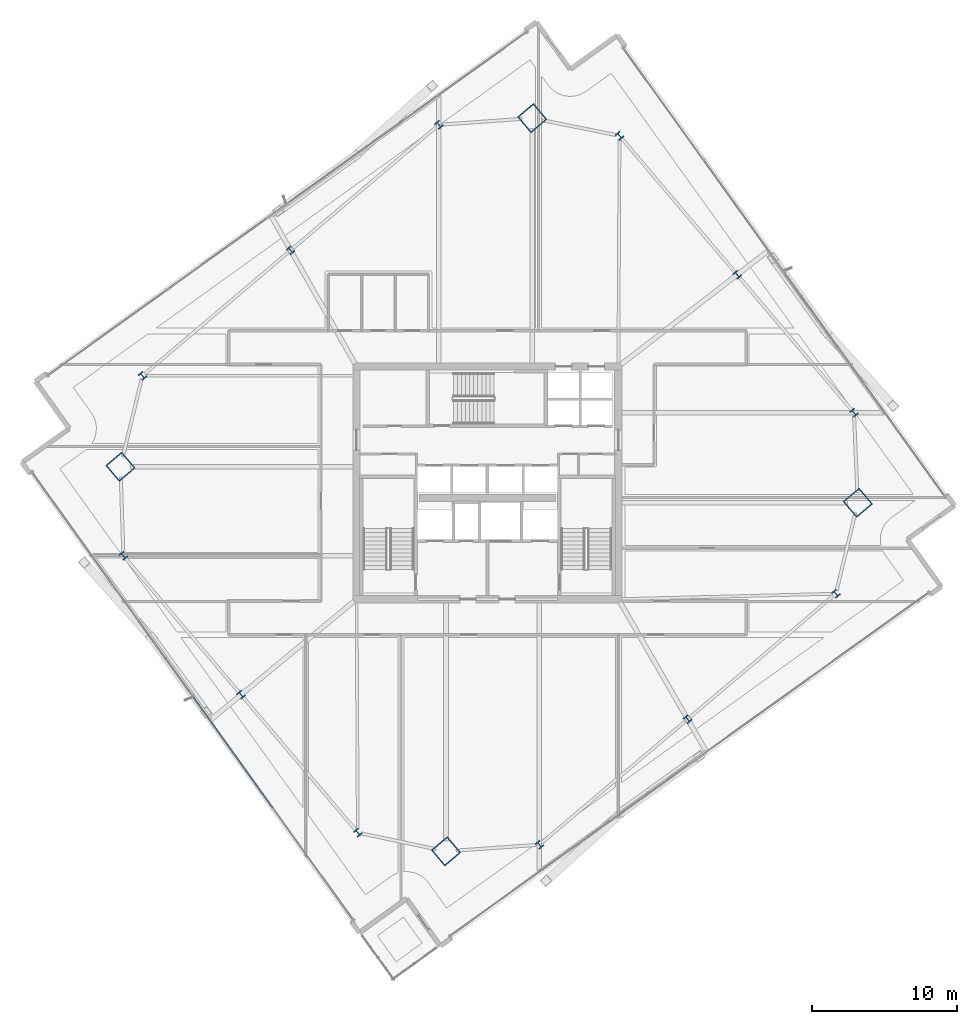
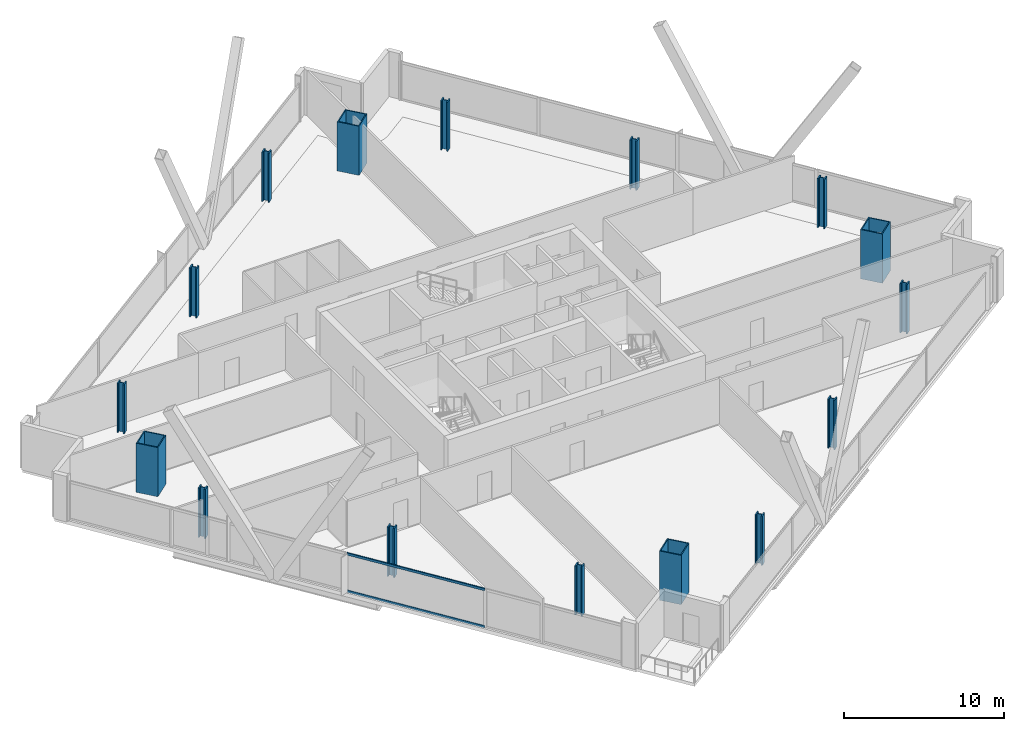
# One storey, part 1 of 33: 16 columns, 2 members, 1 element without a shape of its own.
"""IFC4 building model written with IfcOpenShell, lengths in metres."""

from ifc_helpers import new_model, si_unit, direction, frame, origin, origin_2d, place, context, subcontext, project, spatial, hollow_rectangle, i_section, extrude, material, material_profile, profile_set, type_object, element, aggregate, save


model = new_model("IFC4")

# Units and contexts
model_context = context("Model", 3, precision=1e-05, world=origin(), true_north=direction((0.0, 1.0)))
body_context = subcontext(model_context, "Body", "Model", "MODEL_VIEW")
ifc_project = project(units=[si_unit("LENGTHUNIT", "METRE"), si_unit("AREAUNIT", "SQUARE_METRE"), si_unit("VOLUMEUNIT", "CUBIC_METRE"), si_unit("PLANEANGLEUNIT", "RADIAN"), si_unit("MASSUNIT", "GRAM", prefix="KILO")], contexts=[model_context])

# Site, building, storey
site_placement = place(None, origin())
site = spatial("IfcSite", under=ifc_project, at=site_placement, CompositionType="ELEMENT")
building_placement = place(site_placement, origin())
building = spatial("IfcBuilding", under=site, at=building_placement, Name="Haldenkirk Collegiate Tower", CompositionType="ELEMENT")
storey_placement = place(building_placement, frame((0.0, 0.0, 148.199951171875)))
storey = spatial("IfcBuildingStorey", under=building, at=storey_placement, Name="L36", CompositionType="ELEMENT", Elevation=148.199951171875)

# Columns
ifc_material_1 = material(Name="Steel ASTM A913 Grade 65", Category="steel")
ifc_material_profile_1 = material_profile(ifc_material_1, i_section(OverallWidth=0.431884765625, OverallDepth=0.498046875, WebThickness=0.0556640625, FlangeThickness=0.0888671875, at=origin_2d()), Name="W14X500")
ifc_profile_set_1 = profile_set([ifc_material_profile_1], Name="Steel ASTM A913 Grade 65")
column_type_1 = type_object("IfcColumnType", Name="COL-INT-W14X500", PredefinedType="COLUMN", material=ifc_profile_set_1)
for number, where, z_axis, x_axis, name in (
    (1, (39.568603515625, 1.113525390625, 0.0), (0.0, 0.0, 1.0), (0.763232469783, 0.646123979643, 0.0), "L36 perimeter gravity column PC-S1"),
    (2, (49.762451171875, 9.7431640625, 0.0), (0.0, 0.0, 1.0), (0.763232469783, 0.646123979643, 0.0), "L36 perimeter gravity column PC-S2"),
    (3, (59.956298828125, 18.372802734375, 0.0), (0.0, 0.0, 1.0), (0.763232469783, 0.646123979643, 0.0), "L36 perimeter gravity column PC-S3"),
    (4, (61.199462890625, 30.82421875, 0.0), (0.0, 0.0, 1.0), (0.763232469783, 0.646123979643, 0.0), "L36 perimeter gravity column PC-E1"),
    (5, (53.17138671875, 40.307373046875, 0.0), (0.0, 0.0, 1.0), (0.763232469783, 0.646123979643, 0.0), "L36 perimeter gravity column PC-E2"),
    (6, (45.079833984375, 49.865234375, 0.0), (0.0, 0.0, 1.0), (0.763232469783, 0.646123979643, 0.0), "L36 perimeter gravity column PC-E3"),
    (7, (32.657470703125, 50.619384765625, 0.0), (0.0, 0.0, 1.0), (0.763232469783, 0.646123979643, 0.0), "L36 perimeter gravity column PC-N1"),
    (8, (22.463623046875, 41.98974609375, 0.0), (0.0, 0.0, 1.0), (0.763232469783, 0.646123979643, 0.0), "L36 perimeter gravity column PC-N2"),
    (9, (12.27001953125, 33.360107421875, 0.0), (0.0, 0.0, 1.0), (0.763232469783, 0.646123979643, 0.0), "L36 perimeter gravity column PC-N3"),
    (10, (10.96337890625, 20.9833984375, 0.0), (0.0, 0.0, 1.0), (0.763232469783, 0.646123979643, 0.0), "L36 perimeter gravity column PC-W1"),
    (11, (19.0546875, 11.425537109375, 0.0), (0.0, 0.0, 1.0), (0.763232469783, 0.646123979643, 0.0), "L36 perimeter gravity column PC-W2"),
    (12, (27.0830078125, 1.9423828125, 0.0), (0.0, 0.0, 1.0), (0.763232469783, 0.646123979643, 0.0), "L36 perimeter gravity column PC-W3"),
):
    element("IfcColumn", number, at=place(storey_placement, frame(where, z_axis=z_axis, x_axis=x_axis)), inside=storey, type_object=column_type_1, Name=name, PredefinedType="COLUMN", context=body_context, shape_type="SweptSolid", body=[
        extrude(i_section(OverallWidth=0.431884765625, OverallDepth=0.498046875, WebThickness=0.0556640625, FlangeThickness=0.0888671875, at=origin_2d()), origin(), (0.0, 0.0, 1.0), 3.75),
    ])
ifc_material_2 = material(Name="Steel ASTM A572 Grade 50", Category="steel")
ifc_material_profile_2 = material_profile(ifc_material_2, hollow_rectangle(XDim=1.449951171875, YDim=1.449951171875, WallThickness=0.070068359375, at=origin_2d()), Name="BOX1450X1450X70")
ifc_profile_set_2 = profile_set([ifc_material_profile_2], Name="Steel ASTM A572 Grade 50")
column_type_2 = type_object("IfcColumnType", Name="COL-MEGA-BOX1450X1450X70", PredefinedType="COLUMN", material=ifc_profile_set_2)
for number, where, z_axis, x_axis, name in (
    (13, (33.149169921875, 0.65771484375, 0.0), (0.0, 0.0, 1.0), (0.763232469783, 0.646123979643, 0.0), "L36 corner mega-column MC1"),
    (14, (61.465087890625, 24.62890625, 0.0), (0.0, 0.0, 1.0), (0.763232469783, 0.646123979643, 0.0), "L36 corner mega-column MC2"),
    (15, (39.076904296875, 51.074951171875, 0.0), (0.0, 0.0, 1.0), (0.763232469783, 0.646123979643, 0.0), "L36 corner mega-column MC3"),
    (16, (10.760986328125, 27.103759765625, 0.0), (0.0, 0.0, 1.0), (0.763232469783, 0.646123979643, 0.0), "L36 corner mega-column MC4"),
):
    element("IfcColumn", number, at=place(storey_placement, frame(where, z_axis=z_axis, x_axis=x_axis)), inside=storey, type_object=column_type_2, Name=name, PredefinedType="COLUMN", context=body_context, shape_type="SweptSolid", body=[
        extrude(hollow_rectangle(XDim=1.449951171875, YDim=1.449951171875, WallThickness=0.070068359375, at=origin_2d()), origin(), (0.0, 0.0, 1.0), 3.75),
    ])

# Curtain wall, members
ifc_material_3 = material(Name="Anodised architectural bronze aluminium", Category="aluminium")
curtain_wall_type = type_object("IfcCurtainWallType", Name="CW-SYS1-CONVEX-LOW", PredefinedType="USERDEFINED", material=ifc_material_3)
curtain_wall_placement = place(storey_placement, origin())
curtain_wall = element("IfcCurtainWall", 17, at=curtain_wall_placement, inside=storey, type_object=curtain_wall_type, Name="L36 Lower tower convex bronze-framed unitised curtain wall", ObjectType="UNITISED CURTAIN WALL", PredefinedType="USERDEFINED")
ifc_material_profile_3 = material_profile(ifc_material_3, hollow_rectangle(XDim=0.080078125, YDim=0.179931640625, WallThickness=0.0048828125, at=origin_2d()), Name="CW-TRN-1A")
ifc_profile_set_3 = profile_set([ifc_material_profile_3], Name="Anodised architectural bronze aluminium")
member_type = type_object("IfcMemberType", Name="CW-TRN-1A", PredefinedType="USERDEFINED", material=ifc_profile_set_3)
member_1_placement = place(storey_placement, frame((21.240966796875, 3.649169921875, 0.0400390625), z_axis=(-0.582850217479, 0.81257961086, 0.0), x_axis=(-0.81257961086, -0.582850217479, 0.0)))
member_1 = element("IfcMember", 18, at=member_1_placement, type_object=member_type, Name="CW-1A transom 2.1", ObjectType="TRANSOM", PredefinedType="USERDEFINED", context=body_context, shape_type="SweptSolid", body=[
    extrude(hollow_rectangle(XDim=0.080078125, YDim=0.179931640625, WallThickness=0.0048828125, at=origin_2d()), origin(), (0.0, 0.0, 1.0), 9.420166015625),
])
member_2_placement = place(storey_placement, frame((21.240966796875, 3.649169921875, 2.87109375), z_axis=(-0.582850217479, 0.81257961086, 0.0), x_axis=(-0.81257961086, -0.582850217479, 0.0)))
member_2 = element("IfcMember", 19, at=member_2_placement, type_object=member_type, Name="CW-1A transom 2.2", ObjectType="TRANSOM", PredefinedType="USERDEFINED", context=body_context, shape_type="SweptSolid", body=[
    extrude(hollow_rectangle(XDim=0.080078125, YDim=0.179931640625, WallThickness=0.0048828125, at=origin_2d()), origin(), (0.0, 0.0, 1.0), 9.420166015625),
])
aggregate(curtain_wall, [member_1, member_2])

save(model, "model.ifc")
